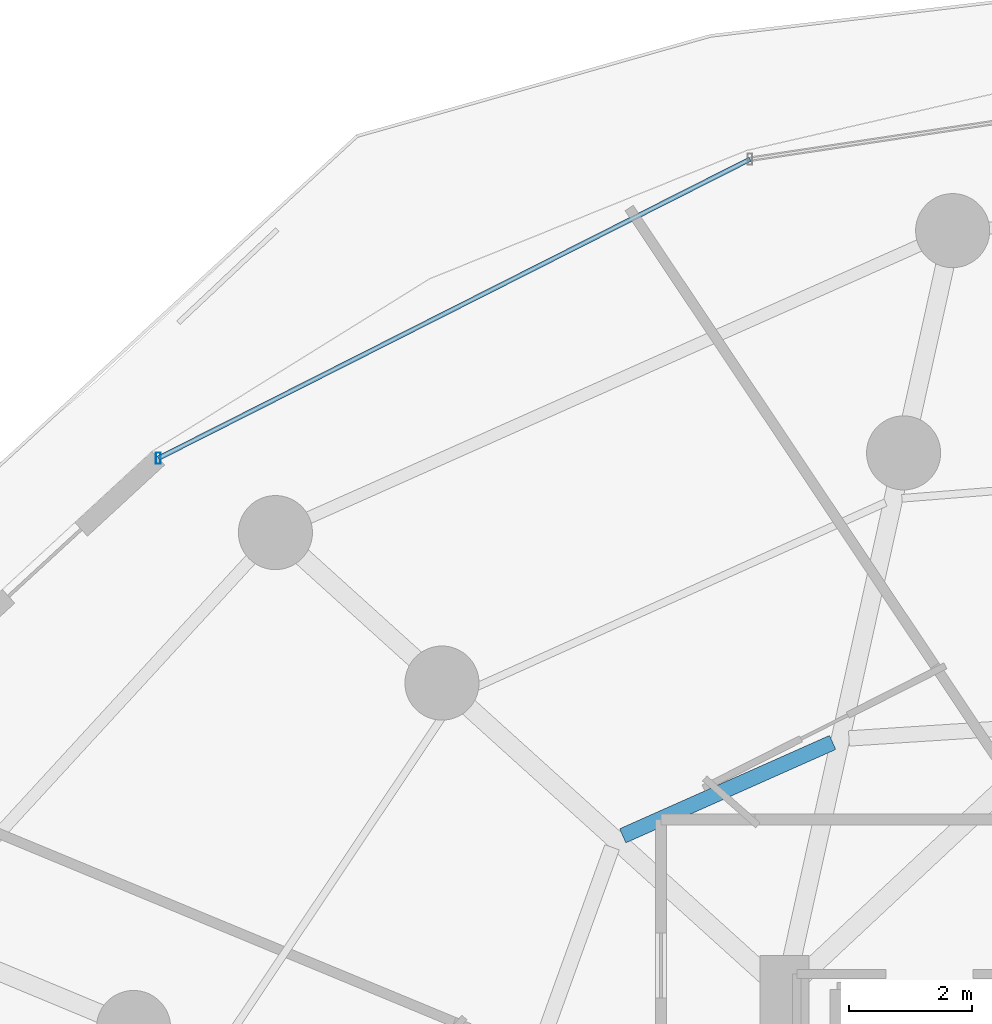
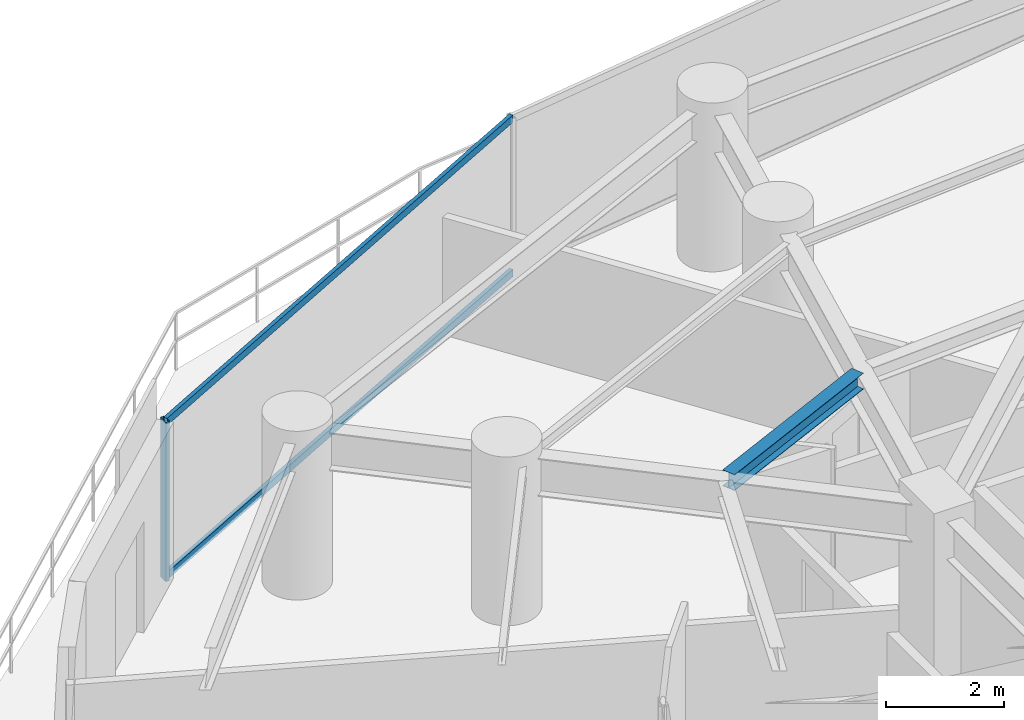
# One storey, part 20 of 35: 3 members, 1 beam, 1 element without a shape of its own.
"""IFC4 building model written with IfcOpenShell, lengths in metres."""

from ifc_helpers import new_model, si_unit, direction, frame, origin, origin_2d, place, context, subcontext, project, spatial, hollow_rectangle, i_section, extrude, material, material_profile, profile_set, type_object, element, aggregate, save


model = new_model("IFC4")

# Units and contexts
model_context = context("Model", 3, precision=1e-05, world=origin(), true_north=direction((0.0, 1.0)))
body_context = subcontext(model_context, "Body", "Model", "MODEL_VIEW")
ifc_project = project(units=[si_unit("LENGTHUNIT", "METRE"), si_unit("AREAUNIT", "SQUARE_METRE"), si_unit("VOLUMEUNIT", "CUBIC_METRE"), si_unit("PLANEANGLEUNIT", "RADIAN"), si_unit("MASSUNIT", "GRAM", prefix="KILO")], contexts=[model_context])

# Site, building, storey
site_placement = place(None, origin())
site = spatial("IfcSite", under=ifc_project, at=site_placement, CompositionType="ELEMENT")
building_placement = place(site_placement, origin())
building = spatial("IfcBuilding", under=site, at=building_placement, Name="Vorneva Point Tower", CompositionType="ELEMENT")
storey_placement = place(building_placement, frame((0.0, 0.0, 52.0)))
storey = spatial("IfcBuildingStorey", under=building, at=storey_placement, Name="L13", CompositionType="ELEMENT", Elevation=52.0)

# Beam
ifc_material_1 = material(Name="Steel S355", Category="steel")
ifc_material_profile_1 = material_profile(ifc_material_1, i_section(OverallWidth=0.2490234375, OverallDepth=0.333984375, WebThickness=0.008056640625, FlangeThickness=0.010986328125, at=origin_2d()), Name="35Sh1")
ifc_profile_set_1 = profile_set([ifc_material_profile_1], Name="Steel S355")
beam_type = type_object("IfcBeamType", Name="BM-SEC-35Sh1", PredefinedType="BEAM", material=ifc_profile_set_1)
beam_placement = place(storey_placement, frame((28.030029296875, 37.19970703125, 3.072998046875), z_axis=(-0.913706020961, -0.406375820221, 0.0), x_axis=(0.406375820221, -0.913706020961, 0.0)))
element("IfcBeam", 1, at=beam_placement, inside=storey, type_object=beam_type, Name="L13 Secondary Floor Beam 2.06", PredefinedType="BEAM", context=body_context, shape_type="SweptSolid", body=[
    extrude(i_section(OverallWidth=0.2490234375, OverallDepth=0.333984375, WebThickness=0.008056640625, FlangeThickness=0.010986328125, at=origin_2d()), origin(), (0.0, 0.0, 1.0), 3.721923828125),
])

# Curtain wall, members
ifc_material_2 = material(Name="Pale anodised aluminium", Category="aluminium")
curtain_wall_type = type_object("IfcCurtainWallType", Name="CW-HTL-SYS", PredefinedType="NOTDEFINED", material=ifc_material_2)
curtain_wall_placement = place(storey_placement, origin())
curtain_wall = element("IfcCurtainWall", 2, at=curtain_wall_placement, inside=storey, type_object=curtain_wall_type, Name="L13 Unitised Curtain Wall CW-L13-R02", PredefinedType="NOTDEFINED")
ifc_material_profile_2 = material_profile(ifc_material_2, hollow_rectangle(XDim=0.074951171875, YDim=0.179931640625, WallThickness=0.00390625, at=origin_2d()), Name="AL-MUL 180x75x4")
ifc_profile_set_2 = profile_set([ifc_material_profile_2], Name="Pale anodised aluminium")
member_type_1 = type_object("IfcMemberType", Name="CW-MUL-180", PredefinedType="MULLION", material=ifc_profile_set_2)
member_1_placement = place(storey_placement, frame((17.10498046875, 41.8037109375, -0.0400390625), z_axis=(0.0, 0.0, 1.0), x_axis=(1.0, 0.0, 0.0)))
member_1 = element("IfcMember", 3, at=member_1_placement, type_object=member_type_1, Name="CW-L13-R02 Mullion 05", PredefinedType="MULLION", context=body_context, shape_type="SweptSolid", body=[
    extrude(hollow_rectangle(XDim=0.074951171875, YDim=0.179931640625, WallThickness=0.00390625, at=origin_2d()), origin(), (0.0, 0.0, 1.0), 3.31005859375),
])
ifc_material_profile_3 = material_profile(ifc_material_2, hollow_rectangle(XDim=0.074951171875, YDim=0.14990234375, WallThickness=0.00390625, at=origin_2d()), Name="AL-TRN 150x75x4")
ifc_profile_set_3 = profile_set([ifc_material_profile_3], Name="Pale anodised aluminium")
member_type_2 = type_object("IfcMemberType", Name="CW-TRN-150", PredefinedType="USERDEFINED", material=ifc_profile_set_3)
member_2_placement = place(storey_placement, frame((26.691650390625, 46.648681640625, 0.02001953125), z_axis=(-0.892496057621, -0.451055192999, 0.0), x_axis=(0.451055192999, -0.892496057621, 0.0)))
member_2 = element("IfcMember", 4, at=member_2_placement, type_object=member_type_2, Name="CW-L13-R02 Transom 04.1", ObjectType="TRANSOM", PredefinedType="USERDEFINED", context=body_context, shape_type="SweptSolid", body=[
    extrude(hollow_rectangle(XDim=0.074951171875, YDim=0.14990234375, WallThickness=0.00390625, at=origin_2d()), origin(), (0.0, 0.0, 1.0), 10.741455078125),
])
member_3_placement = place(storey_placement, frame((26.691650390625, 46.648681640625, 3.219970703125), z_axis=(-0.892496057621, -0.451055192999, 0.0), x_axis=(0.451055192999, -0.892496057621, 0.0)))
member_3 = element("IfcMember", 5, at=member_3_placement, type_object=member_type_2, Name="CW-L13-R02 Transom 04.2", ObjectType="TRANSOM", PredefinedType="USERDEFINED", context=body_context, shape_type="SweptSolid", body=[
    extrude(hollow_rectangle(XDim=0.074951171875, YDim=0.14990234375, WallThickness=0.00390625, at=origin_2d()), origin(), (0.0, 0.0, 1.0), 10.741455078125),
])
aggregate(curtain_wall, [member_1, member_2, member_3])

save(model, "model.ifc")
